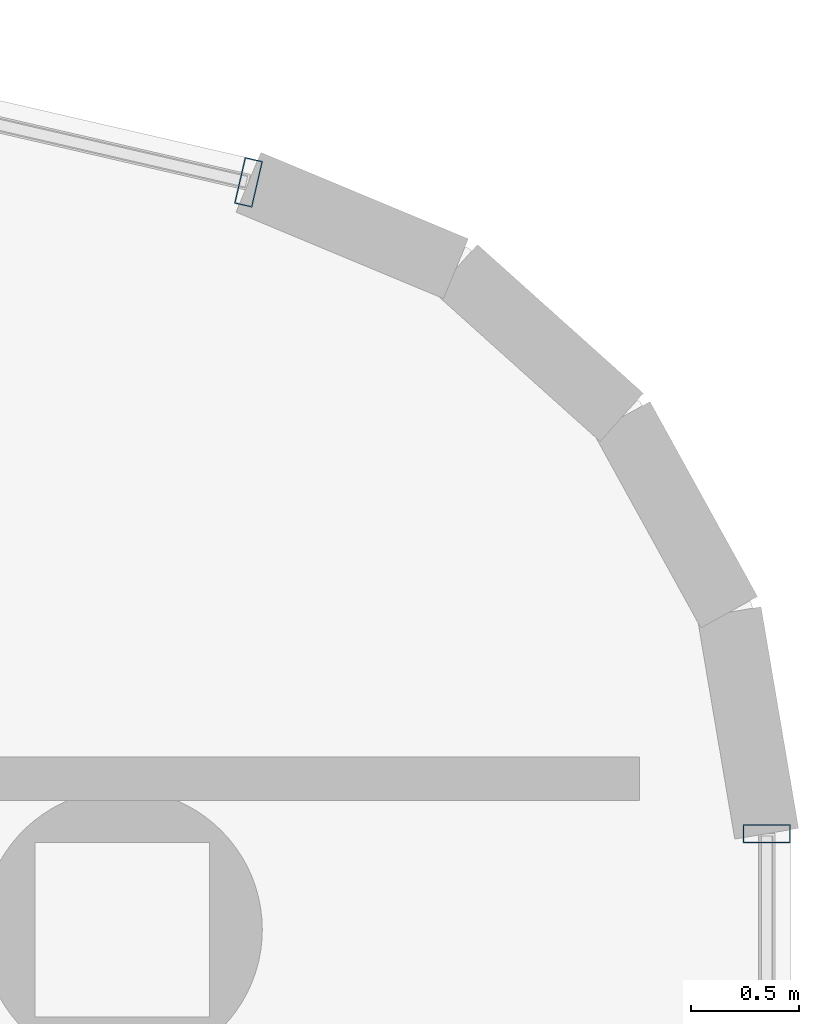
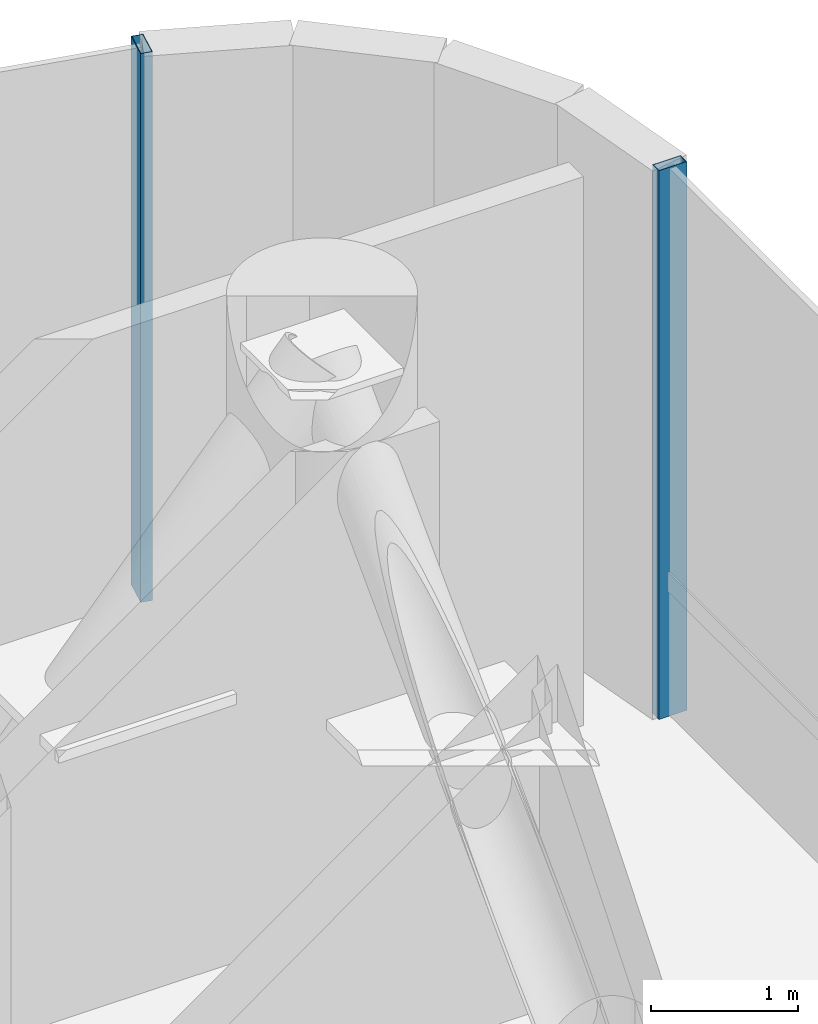
# One storey, part 29 of 39: 2 members, 2 elements without a shape of their own.
"""IFC4 building model written with IfcOpenShell, lengths in metres."""

import ifcopenshell
import ifcopenshell.guid

model = None  # the IFC model being written
_history = None  # IfcOwnerHistory: only IFC2X3 demands one
_inside = {}  # id of a spatial element -> (the spatial element, [elements in it])
_under = {}  # id of a project, library or spatial element -> (it, [spatial elements below it])
_declared = {}  # id of a project -> (the project, [libraries it declares])
_typed = {}  # id of a type object -> (the type object, [elements of that type])
_made_of = {}  # id of a material, layer set ... -> (it, [elements and type objects made of it])


def new_model(schema):
    """Start an empty IFC model of exactly this schema.

    Asked for "IFC4X3", IfcOpenShell would pick the latest addendum, in which some entities
    have other attributes; the version numbers below select the first issue.
    IFC2X3 requires an IfcOwnerHistory on every rooted entity: one is made here for all.
    """
    global model, _history
    if schema == "IFC4X3":
        model = ifcopenshell.file(schema_version=(4, 3, 0, 0))
    else:
        model = ifcopenshell.file(schema=schema)
    _inside.clear()
    _under.clear()
    _declared.clear()
    _typed.clear()
    _made_of.clear()
    _history = None
    if model.schema == "IFC2X3":
        org = make("IfcOrganization", Name="unknown")
        user = make(
            "IfcPersonAndOrganization",
            ThePerson=make("IfcPerson", FamilyName="unknown"),
            TheOrganization=org,
        )
        app = make(
            "IfcApplication",
            ApplicationDeveloper=org,
            Version="unknown",
            ApplicationFullName="unknown",
            ApplicationIdentifier="unknown",
        )
        _history = make(
            "IfcOwnerHistory",
            OwningUser=user,
            OwningApplication=app,
            ChangeAction="ADDED",
            CreationDate=0,
        )
    return model


def make(cls, **values):
    """One entity of the class cls with the attributes given. An attribute that is None is left unset."""
    return model.create_entity(
        cls, **{name: value for name, value in values.items() if value is not None}
    )


def rooted(cls, **values):
    """An entity with a GlobalId (a new one), such as an element, a storey or a relation."""
    return make(cls, GlobalId=ifcopenshell.guid.new(), OwnerHistory=_history, **values)


def si_unit(unit_type, name, prefix=None):
    """IfcSIUnit, for example si_unit("LENGTHUNIT", "METRE", prefix="MILLI")."""
    return make("IfcSIUnit", UnitType=unit_type, Prefix=prefix, Name=name)


def assignment(units):
    """IfcUnitAssignment: the units of a project."""
    return None if units is None else make("IfcUnitAssignment", Units=units)


def point(xyz):
    """IfcCartesianPoint."""
    return None if xyz is None else make("IfcCartesianPoint", Coordinates=xyz)


def direction(xyz):
    """IfcDirection."""
    return None if xyz is None else make("IfcDirection", DirectionRatios=xyz)


def frame(location, z_axis=None, x_axis=None):
    """IfcAxis2Placement3D, a coordinate frame: its origin and axes. An axis left out is left unset."""
    return make(
        "IfcAxis2Placement3D",
        Location=point(location),
        Axis=direction(z_axis),
        RefDirection=direction(x_axis),
    )


def frame_2d(location, x_axis=None):
    """IfcAxis2Placement2D, a coordinate frame in the plane: its origin and x axis."""
    return make(
        "IfcAxis2Placement2D", Location=point(location), RefDirection=direction(x_axis)
    )


def origin():
    """The frame at (0, 0, 0) with its axes left unset."""
    return frame((0.0, 0.0, 0.0))


def origin_2d():
    """The frame at (0, 0) in the plane with its x axis left unset."""
    return frame_2d((0.0, 0.0))


def place(relative_to, where):
    """IfcLocalPlacement: puts the frame where relative to a parent placement (None: the world)."""
    return make(
        "IfcLocalPlacement", PlacementRelTo=relative_to, RelativePlacement=where
    )


def context(
    kind, dimensions, precision=None, world=None, true_north=None, identifier=None
):
    """IfcGeometricRepresentationContext, for example the 3D "Model" context."""
    return make(
        "IfcGeometricRepresentationContext",
        ContextIdentifier=identifier,
        ContextType=kind,
        CoordinateSpaceDimension=dimensions,
        Precision=precision,
        WorldCoordinateSystem=world,
        TrueNorth=true_north,
    )


def subcontext(parent, identifier, kind, view, scale=None):
    """IfcGeometricRepresentationSubContext, for example "Body" below "Model"."""
    return make(
        "IfcGeometricRepresentationSubContext",
        ContextIdentifier=identifier,
        ContextType=kind,
        ParentContext=parent,
        TargetScale=scale,
        TargetView=view,
    )


def project(units=None, contexts=None):
    """IfcProject with its units and contexts."""
    return rooted(
        "IfcProject",
        Name="project",
        RepresentationContexts=contexts,
        UnitsInContext=assignment(units),
    )


def spatial(cls, under=None, at=None, **own):
    """A site, building, storey or space (cls), placed at a placement, below another one or the project."""
    s = rooted(cls, ObjectPlacement=at, **own)
    if under is not None:
        _under.setdefault(under.id(), (under, []))[1].append(s)
    return s


def profile(cls, at=None, kind="AREA", **sizes):
    """A parametric profile (cls). Its sizes go by their IFC names, for example OverallWidth=200.0."""
    return make(cls, ProfileType=kind, Position=at, **sizes)


def hollow_rectangle(**sizes):
    """IfcRectangleHollowProfileDef."""
    return profile("IfcRectangleHollowProfileDef", **sizes)


def extrude(swept, where, along, depth):
    """IfcExtrudedAreaSolid: the profile swept, set in the frame where, extruded along a direction by depth."""
    return make(
        "IfcExtrudedAreaSolid",
        SweptArea=swept,
        Position=where,
        ExtrudedDirection=direction(along),
        Depth=depth,
    )


def shape(context_of_items, identifier, shape_type, items):
    """IfcShapeRepresentation: the items that make up one representation, for example the "Body"."""
    return make(
        "IfcShapeRepresentation",
        ContextOfItems=context_of_items,
        RepresentationIdentifier=identifier,
        RepresentationType=shape_type,
        Items=items,
    )


def source(mapping_origin, context_of_items, identifier, shape_type, items):
    """IfcRepresentationMap: a shape defined once, which mapped items show again and again."""
    return make(
        "IfcRepresentationMap",
        MappingOrigin=mapping_origin,
        MappedRepresentation=shape(context_of_items, identifier, shape_type, items),
    )


def transform(
    local_origin,
    x_axis=None,
    y_axis=None,
    z_axis=None,
    scale=None,
    scale2=None,
    scale3=None,
    uniform=True,
):
    """IfcCartesianTransformationOperator3D, or its non-uniform kind. x_axis, y_axis, z_axis: its Axis1, 2, 3."""
    if uniform:
        return make(
            "IfcCartesianTransformationOperator3D",
            Axis1=direction(x_axis),
            Axis2=direction(y_axis),
            LocalOrigin=point(local_origin),
            Scale=scale,
            Axis3=direction(z_axis),
        )
    return make(
        "IfcCartesianTransformationOperator3DnonUniform",
        Axis1=direction(x_axis),
        Axis2=direction(y_axis),
        LocalOrigin=point(local_origin),
        Scale=scale,
        Axis3=direction(z_axis),
        Scale2=scale2,
        Scale3=scale3,
    )


def mapped(mapping_source, mapping_target):
    """IfcMappedItem: shows the shape of a source again, moved by a transform."""
    return make(
        "IfcMappedItem", MappingSource=mapping_source, MappingTarget=mapping_target
    )


def material(Name=None, Category=None):
    """IfcMaterial."""
    return make("IfcMaterial", Name=Name, Category=Category)


def material_profile(
    of_material, cross_section, Name=None, Category=None, Priority=None
):
    """IfcMaterialProfile: a cross section and its material."""
    return make(
        "IfcMaterialProfile",
        Name=Name,
        Material=of_material,
        Profile=cross_section,
        Priority=Priority,
        Category=Category,
    )


def profile_set(profiles, Name=None, composite=None):
    """IfcMaterialProfileSet."""
    return make(
        "IfcMaterialProfileSet",
        Name=Name,
        MaterialProfiles=profiles,
        CompositeProfile=composite,
    )


def made_of(thing, what):
    """Note that an element or type object is made of a material, layer set ...; save() writes the relation."""
    if what is not None:
        _made_of.setdefault(what.id(), (what, []))[1].append(thing)
    return thing


def type_object(cls, material=None, **own):
    """A type object (cls), such as IfcWallType, which elements share."""
    return made_of(rooted(cls, **own), material)


def element(
    cls,
    number,
    at=None,
    inside=None,
    cuts=None,
    type_object=None,
    material=None,
    context=None,
    identifier="Body",
    shape_type=None,
    held_by="IfcProductDefinitionShape",
    body=None,
    shapes=None,
    **own,
):
    """One element of the class cls, such as IfcWall. Its Tag is "e" and its number.

    at: its placement. inside: the storey or other place that contains it. cuts: it is an
    opening in that element (IfcRelVoidsElement). A single representation is given by context,
    identifier, shape_type and body (its items); several are given by shapes. held_by: the class
    of the entity that holds the representations. save() writes the other relations.
    """
    e = rooted(cls, Tag="e%d" % number, ObjectPlacement=at, **own)
    if body is not None:
        shapes = [shape(context, identifier, shape_type, body)]
    if shapes is not None:
        e.Representation = make(held_by, Representations=shapes)
    if inside is not None:
        _inside.setdefault(inside.id(), (inside, []))[1].append(e)
    if cuts is not None:
        rooted(
            "IfcRelVoidsElement", RelatingBuildingElement=cuts, RelatedOpeningElement=e
        )
    if type_object is not None:
        _typed.setdefault(type_object.id(), (type_object, []))[1].append(e)
    return made_of(e, material)


def aggregate(whole, parts):
    """IfcRelAggregates: a whole, such as a stair, and the parts it consists of."""
    return rooted("IfcRelAggregates", RelatingObject=whole, RelatedObjects=parts)


def save(model, path):
    """Write the relations noted so far, then the file.

    IfcRelAggregates (storeys below a building ...), IfcRelContainedInSpatialStructure (elements
    in a storey), IfcRelDefinesByType, IfcRelAssociatesMaterial and IfcRelDeclares: one each for
    every whole, place, type object, material and project.
    """
    for whole, parts in _under.values():
        aggregate(whole, parts)
    for where, things in _inside.values():
        rooted(
            "IfcRelContainedInSpatialStructure",
            RelatedElements=things,
            RelatingStructure=where,
        )
    for kind, things in _typed.values():
        rooted("IfcRelDefinesByType", RelatedObjects=things, RelatingType=kind)
    for what, things in _made_of.values():
        rooted("IfcRelAssociatesMaterial", RelatedObjects=things, RelatingMaterial=what)
    for by, libraries in _declared.values():
        rooted("IfcRelDeclares", RelatingContext=by, RelatedDefinitions=libraries)
    model.write(path)


model = new_model("IFC4")

# Units and contexts
model_context = context("Model", 3, precision=1e-05, world=origin(), true_north=direction((0.0, 1.0)))
body_context = subcontext(model_context, "Body", "Model", "MODEL_VIEW")
ifc_project = project(units=[si_unit("LENGTHUNIT", "METRE"), si_unit("AREAUNIT", "SQUARE_METRE"), si_unit("VOLUMEUNIT", "CUBIC_METRE"), si_unit("PLANEANGLEUNIT", "RADIAN"), si_unit("MASSUNIT", "GRAM", prefix="KILO")], contexts=[model_context])

# Site, building, storey
site_placement = place(None, origin())
site = spatial("IfcSite", under=ifc_project, at=site_placement, CompositionType="ELEMENT")
building_placement = place(site_placement, origin())
building = spatial("IfcBuilding", under=site, at=building_placement, Name="Valdorenza Pilgrim Sanctuary Tower", CompositionType="ELEMENT")
storey_placement = place(building_placement, frame((0.0, 0.0, 96.300048828125)))
storey = spatial("IfcBuildingStorey", under=building, at=storey_placement, Name="L24", CompositionType="ELEMENT", Elevation=96.300048828125)

# Curtain wall, member
ifc_material_1 = material(Name="Curtain-wall IGU glazing", Category="glass")
curtain_wall_type = type_object("IfcCurtainWallType", Name="CW-SYS-03", PredefinedType="NOTDEFINED", material=ifc_material_1)
curtain_wall_1_placement = place(storey_placement, origin())
curtain_wall_1 = element("IfcCurtainWall", 1, at=curtain_wall_1_placement, inside=storey, type_object=curtain_wall_type, Name="L24 Curtain Wall CW-L24-1-16", PredefinedType="NOTDEFINED")
ifc_material_2 = material(Name="Anodised aluminium AW-6060", Category="aluminium")
ifc_material_profile = material_profile(ifc_material_2, hollow_rectangle(XDim=0.0849609375, YDim=0.219970703125, WallThickness=0.0048828125, at=origin_2d()), Name="ALU-M 220x85x5")
ifc_profile_set = profile_set([ifc_material_profile], Name="Anodised aluminium AW-6060")
member_type = type_object("IfcMemberType", Name="CW-MUL-03", PredefinedType="MULLION", material=ifc_profile_set)
shared_shape = source(origin(), body_context, "Body", "SweptSolid", [
    extrude(hollow_rectangle(XDim=0.0849609375, YDim=0.219970703125, WallThickness=0.0048828125, at=origin_2d()), origin(), (0.0, 0.0, 1.0), 4.56005859375),
])
member_1_placement = place(storey_placement, frame((28.98583984375, 16.96728515625, 0.0), z_axis=(0.0, 0.0, 1.0), x_axis=(0.974389691758, -0.224866023659, 0.0)))
member_1 = element("IfcMember", 2, at=member_1_placement, type_object=member_type, Name="CW-L24-1-16 Mullion 4", PredefinedType="MULLION", context=body_context, shape_type="MappedRepresentation", body=[
    mapped(shared_shape, transform((0.0, 0.0, 0.0), x_axis=(1.0, 0.0, 0.0), y_axis=(0.0, 1.0, 0.0), z_axis=(0.0, 0.0, 1.0), scale=1.0)),
])
aggregate(curtain_wall_1, [member_1])

curtain_wall_2_placement = place(storey_placement, origin())
curtain_wall_2 = element("IfcCurtainWall", 3, at=curtain_wall_2_placement, inside=storey, type_object=curtain_wall_type, Name="L24 Curtain Wall CW-L24-1-21", PredefinedType="NOTDEFINED")
member_2_placement = place(storey_placement, frame((31.389892578125, 13.945068359375, 0.0), z_axis=(0.0, 0.0, 1.0), x_axis=(0.0, -1.0, 0.0)))
member_2 = element("IfcMember", 4, at=member_2_placement, type_object=member_type, Name="CW-L24-1-21 Mullion 1", PredefinedType="MULLION", context=body_context, shape_type="MappedRepresentation", body=[
    mapped(shared_shape, transform((0.0, 0.0, 0.0), x_axis=(1.0, 0.0, 0.0), y_axis=(0.0, 1.0, 0.0), z_axis=(0.0, 0.0, 1.0), scale=1.0)),
])
aggregate(curtain_wall_2, [member_2])

save(model, "model.ifc")
